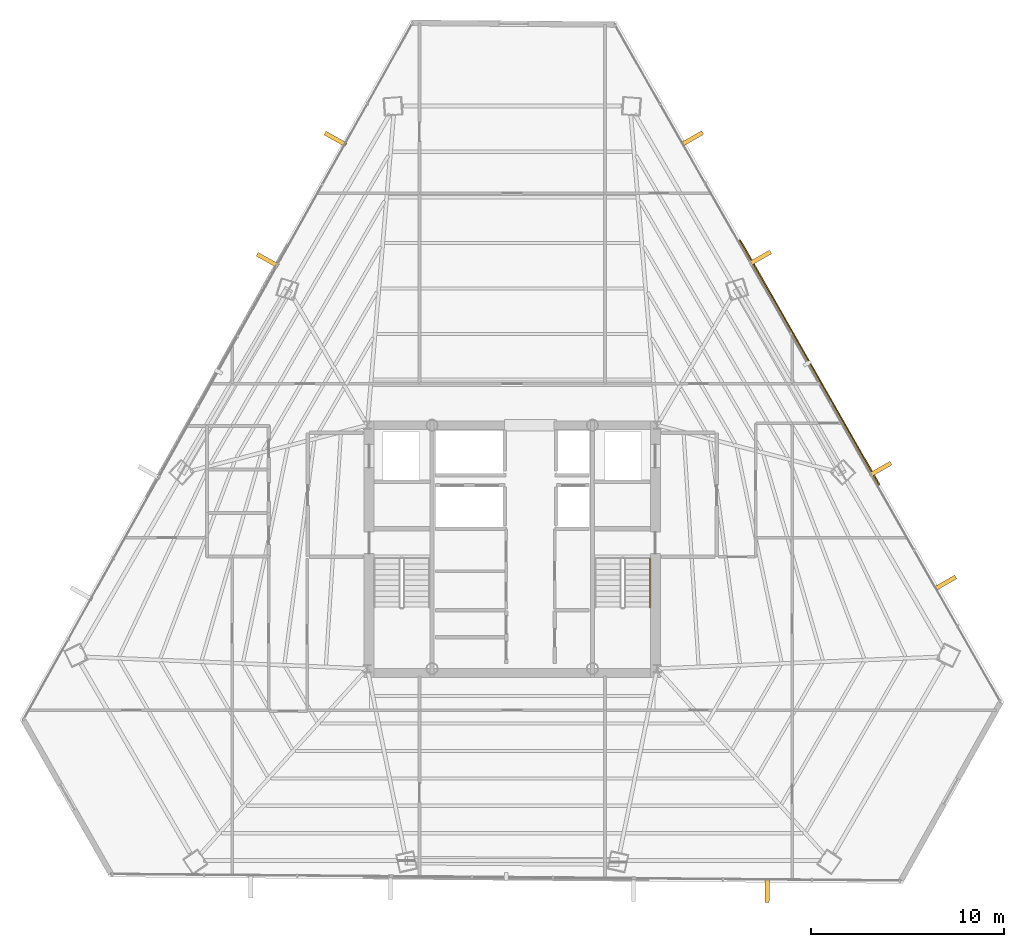
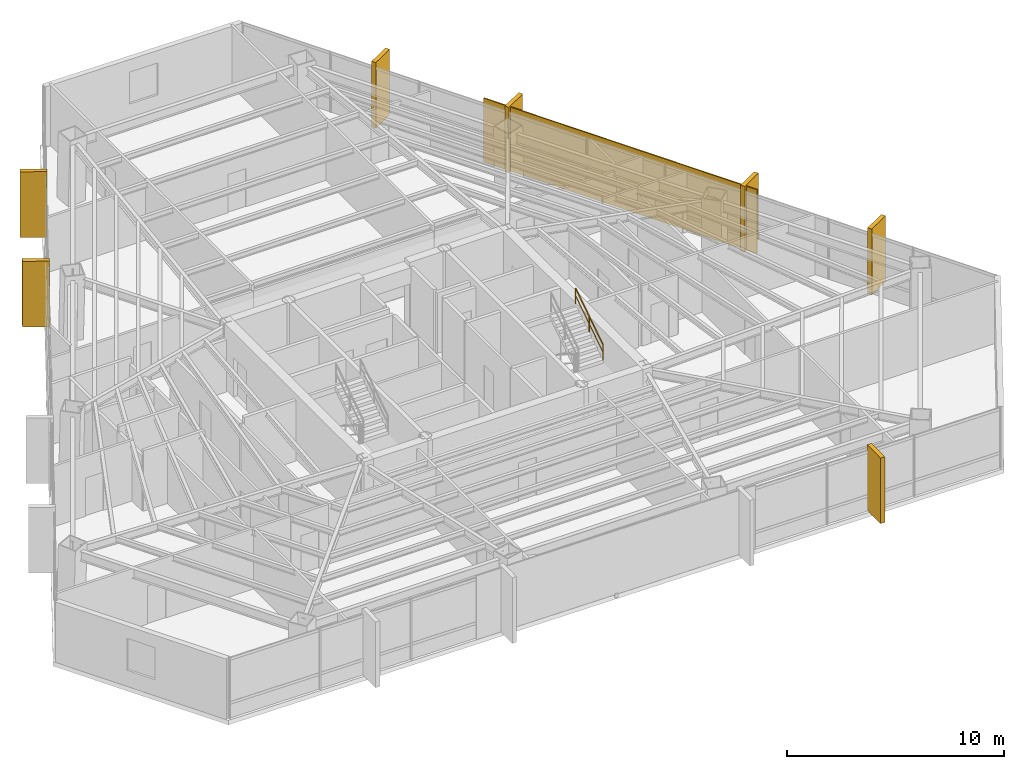
# One storey, part 38 of 38: 7 coverings, 1 railing, 1 shading device.
"""IFC4 building model written with IfcOpenShell, lengths in metres."""

from ifc_helpers import new_model, si_unit, direction, frame, origin, origin_2d, place, context, subcontext, project, spatial, rectangle, extrude, source, transform, mapped, material, layer, layer_set, type_object, type_shapes, element, save


model = new_model("IFC4")

# Units and contexts
model_context = context("Model", 3, precision=1e-05, world=origin(), true_north=direction((0.0, 1.0)))
body_context = subcontext(model_context, "Body", "Model", "MODEL_VIEW")
ifc_project = project(units=[si_unit("LENGTHUNIT", "METRE"), si_unit("AREAUNIT", "SQUARE_METRE"), si_unit("VOLUMEUNIT", "CUBIC_METRE"), si_unit("PLANEANGLEUNIT", "RADIAN"), si_unit("MASSUNIT", "GRAM", prefix="KILO")], contexts=[model_context])

# Site, building, storey
site_placement = place(None, origin())
site = spatial("IfcSite", under=ifc_project, at=site_placement, CompositionType="ELEMENT")
building_placement = place(site_placement, origin())
building = spatial("IfcBuilding", under=site, at=building_placement, Name="Caelisora Broadcast Tower", CompositionType="ELEMENT")
storey_placement = place(building_placement, frame((0.0, 0.0, 158.5)))
storey = spatial("IfcBuildingStorey", under=building, at=storey_placement, Name="L41", CompositionType="ELEMENT", Elevation=158.5)

# Railing
ifc_material_1 = material(Name="Stainless Steel Grade 316 Tubular Handrail", Category="steel")
ifc_layer_1 = layer(ifc_material_1, 0.048095703125, Name="Stainless Steel Grade 316 Tubular Handrail")
ifc_layer_set_1 = layer_set([ifc_layer_1], Name="Stainless Steel Grade 316 Tubular Handrail")
railing_type = type_object("IfcRailingType", Name="HR-1", PredefinedType="HANDRAIL", material=ifc_layer_set_1)
railing_placement = place(storey_placement, frame((45.1298828125, 20.580078125, 2.007568359375)))
element("IfcRailing", 1, at=railing_placement, inside=storey, type_object=railing_type, Name="L41 ST-2 stair handrail 2", PredefinedType="HANDRAIL", context=body_context, shape_type="SweptSolid", body=[
    extrude(rectangle(XDim=0.048095703125, YDim=0.048095703125, at=origin_2d()), frame((0.0, 0.0, 0.8759765625), z_axis=(0.0, 0.837786554691, 0.545997883492), x_axis=(-1.0, 0.0, 0.0)), (0.0, 0.0, 1.0), 3.008056640625),
    extrude(rectangle(XDim=0.03125, YDim=0.03125, at=origin_2d()), frame((0.0, 0.0, 0.449951171875), z_axis=(0.0, 0.837786554691, 0.545997883492), x_axis=(-1.0, 0.0, 0.0)), (0.0, 0.0, 1.0), 3.008056640625),
    extrude(rectangle(XDim=0.0419921875, YDim=0.0419921875, at=origin_2d()), origin(), (0.0, 0.0, 1.0), 0.851806640625),
    extrude(rectangle(XDim=0.0419921875, YDim=0.0419921875, at=origin_2d()), frame((0.0, 1.260009765625, 0.8212890625)), (0.0, 0.0, 1.0), 0.851806640625),
    extrude(rectangle(XDim=0.0419921875, YDim=0.0419921875, at=origin_2d()), frame((0.0, 2.52001953125, 1.642333984375)), (0.0, 0.0, 1.0), 0.851806640625),
])

# Coverings
ifc_material_2 = material(Name="Kiln-Fired Terracotta Spandrel Rainscreen Cladding", Category="ceramic")
ifc_layer_2 = layer(ifc_material_2, 0.044921875, Name="Kiln-Fired Terracotta Spandrel Rainscreen Cladding")
ifc_layer_set_2 = layer_set([ifc_layer_2], Name="Kiln-Fired Terracotta Spandrel Rainscreen Cladding")
covering_type = type_object("IfcCoveringType", Name="CL-1", PredefinedType="CLADDING", material=ifc_layer_set_2)
shared_shape_1 = source(origin(), body_context, "Body", "SweptSolid", [
    extrude(rectangle(XDim=0.219970703125, YDim=1.25, at=origin_2d()), origin(), (0.0, 0.0, 1.0), 3.68994140625),
])
type_shapes(covering_type, [shared_shape_1])
for number, where, z_axis, x_axis, name in (
    (2, (47.3134765625, 44.834228515625, -0.02001953125), (0.0, 0.0, 1.0), (0.494852128545, -0.868977198133, 0.0), "L41 vertical solar fin cladding #1-1"),
    (3, (50.830322265625, 38.658203125, -0.02001953125), (0.0, 0.0, 1.0), (0.494852128545, -0.868977198133, 0.0), "L41 vertical solar fin cladding #1-2"),
    (4, (57.055419921875, 27.726318359375, -0.02001953125), (0.0, 0.0, 1.0), (0.494852128545, -0.868977198133, 0.0), "L41 vertical solar fin cladding #1-3"),
    (5, (60.409423828125, 21.836181640625, -0.02001953125), (0.0, 0.0, 1.0), (0.494852128545, -0.868977198133, 0.0), "L41 vertical solar fin cladding #1-4"),
    (6, (51.19482421875, 5.927490234375, -0.02001953125), (0.0, 0.0, 1.0), (-0.999964908278, 0.008377482415, 0.0), "L41 vertical solar fin cladding #2-1"),
    (7, (25.34521484375, 38.542724609375, -0.02001953125), (0.0, 0.0, 1.0), (0.487554922136, 0.873092319232, 0.0), "L41 vertical solar fin cladding #3-3"),
    (8, (28.849609375, 44.8173828125, -0.02001953125), (0.0, 0.0, 1.0), (0.487554922136, 0.873092319232, 0.0), "L41 vertical solar fin cladding #3-4"),
):
    element("IfcCovering", number, at=place(storey_placement, frame(where, z_axis=z_axis, x_axis=x_axis)), inside=storey, type_object=covering_type, Name=name, PredefinedType="CLADDING", context=body_context, shape_type="MappedRepresentation", body=[
        mapped(shared_shape_1, transform((0.0, 0.0, 0.0), scale=1.0)),
    ])

# Shading device
ifc_material_3 = material(Name="Perforated Glazed Terracotta Baguette Solar Screen", Category="ceramic")
ifc_layer_3 = layer(ifc_material_3, 0.06494140625, Name="Perforated Glazed Terracotta Baguette Solar Screen")
ifc_layer_set_3 = layer_set([ifc_layer_3], Name="Perforated Glazed Terracotta Baguette Solar Screen")
shading_device_type = type_object("IfcShadingDeviceType", Name="SS-1", PredefinedType="USERDEFINED", material=ifc_layer_set_3)
shared_shape_2 = source(origin(), body_context, "Body", "SweptSolid", [
    extrude(rectangle(XDim=14.5869140625, YDim=0.06494140625, at=origin_2d()), origin(), (0.0, 0.0, 1.0), 3.590087890625),
])
type_shapes(shading_device_type, [shared_shape_2])
shading_device_placement = place(storey_placement, frame((53.388671875, 33.256103515625, 0.0), z_axis=(0.0, 0.0, 1.0), x_axis=(-0.494852128545, 0.868977198133, 0.0)))
element("IfcShadingDevice", 9, at=shading_device_placement, inside=storey, type_object=shading_device_type, Name="L41 perforated terracotta solar screen #3", ObjectType="SOLAR SCREEN", PredefinedType="USERDEFINED", context=body_context, shape_type="MappedRepresentation", body=[
    mapped(shared_shape_2, transform((0.0, 0.0, 0.0), scale=1.0)),
])

save(model, "model.ifc")
